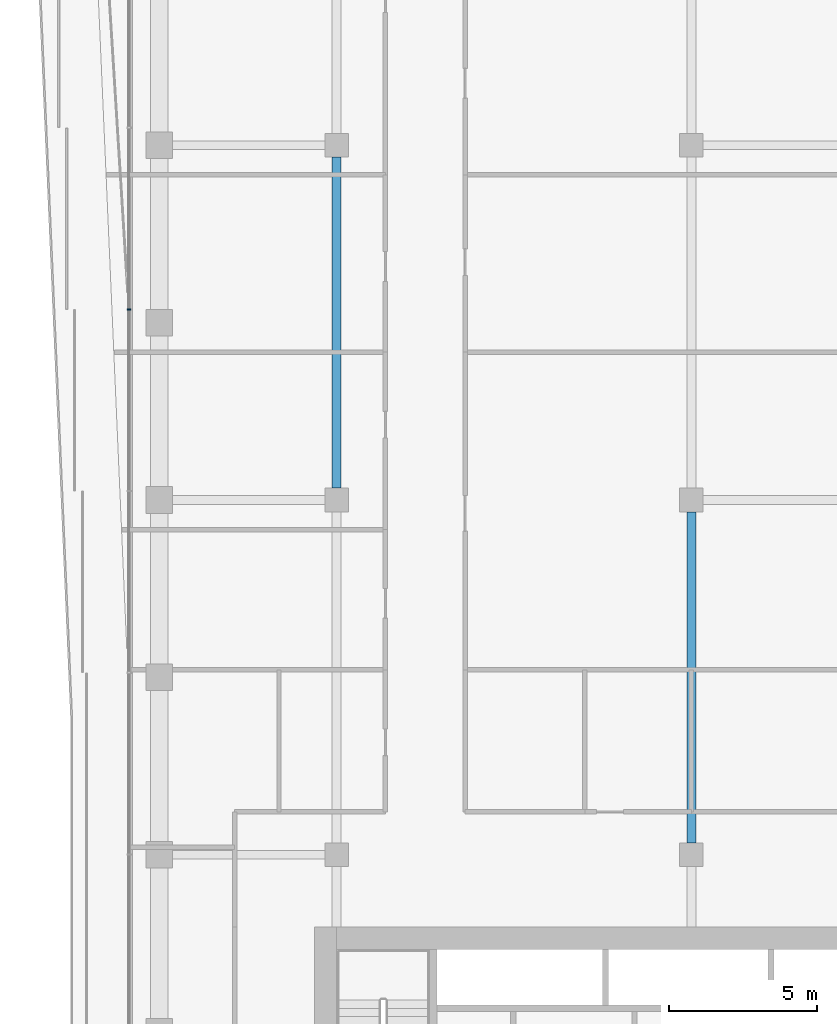
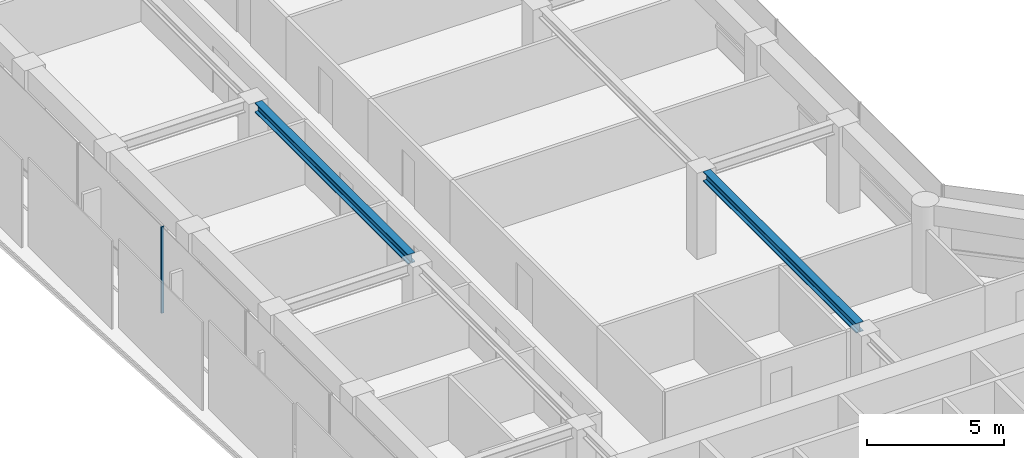
# One storey, part 12 of 24: 2 beams, 1 member, 1 element without a shape of its own.
"""IFC4 building model written with IfcOpenShell, lengths in metres."""

from ifc_helpers import new_model, si_unit, direction, frame, origin, origin_2d, place, context, subcontext, project, spatial, rectangle, i_section, extrude, material, layer, layer_set, material_profile, profile_set, type_object, element, aggregate, save


model = new_model("IFC4")

# Units and contexts
model_context = context("Model", 3, precision=1e-05, world=origin(), true_north=direction((0.0, 1.0)))
body_context = subcontext(model_context, "Body", "Model", "MODEL_VIEW")
ifc_project = project(units=[si_unit("LENGTHUNIT", "METRE"), si_unit("AREAUNIT", "SQUARE_METRE"), si_unit("VOLUMEUNIT", "CUBIC_METRE"), si_unit("PLANEANGLEUNIT", "RADIAN"), si_unit("MASSUNIT", "GRAM", prefix="KILO")], contexts=[model_context])

# Site, building, storey
site_placement = place(None, origin())
site = spatial("IfcSite", under=ifc_project, at=site_placement, CompositionType="ELEMENT")
building_placement = place(site_placement, origin())
building = spatial("IfcBuilding", under=site, at=building_placement, Name="Welwitschia Terrace Campus", CompositionType="ELEMENT")
storey_placement = place(building_placement, frame((0.0, 0.0, 100.39990234375)))
storey = spatial("IfcBuildingStorey", under=building, at=storey_placement, Name="L22", CompositionType="ELEMENT", Elevation=100.39990234375)

# Beams
ifc_material_1 = material(Name="Steel S355", Category="steel")
ifc_material_profile_1 = material_profile(ifc_material_1, i_section(OverallWidth=0.306884765625, OverallDepth=0.431884765625, WebThickness=0.02099609375, FlangeThickness=0.0400390625, FilletRadius=0.027099609375, at=origin_2d()))
ifc_profile_set_1 = profile_set([ifc_material_profile_1], Name="Steel S355")
beam_type = type_object("IfcBeamType", Name="Interior girder HE 400 M", PredefinedType="BEAM", material=ifc_profile_set_1)
for number, where, z_axis, x_axis, name in (
    (1, (6.0, 40.400390625, 3.634033203125), (0.0, 1.0, 0.0), (-1.0, 0.0, 0.0), "Girder GB3"),
    (2, (18.0, 28.400390625, 3.634033203125), (0.0, 1.0, 0.0), (-1.0, 0.0, 0.0), "Girder GB3"),
):
    element("IfcBeam", number, at=place(storey_placement, frame(where, z_axis=z_axis, x_axis=x_axis)), inside=storey, type_object=beam_type, Name=name, PredefinedType="BEAM", context=body_context, shape_type="SweptSolid", body=[
        extrude(i_section(OverallWidth=0.306884765625, OverallDepth=0.431884765625, WebThickness=0.02099609375, FlangeThickness=0.0400390625, FilletRadius=0.027099609375, at=origin_2d()), origin(), (0.0, 0.0, 1.0), 11.19921875),
    ])

# Curtain wall, member
ifc_material_2 = material(Name="Bronze anodised aluminium", Category="aluminium")
ifc_layer = layer(ifc_material_2, 0.1201171875)
ifc_layer_set = layer_set([ifc_layer], Name="Bronze anodised aluminium")
curtain_wall_type = type_object("IfcCurtainWallType", Name="Curtain wall CW2 tower 6000", PredefinedType="NOTDEFINED", material=ifc_layer_set)
curtain_wall_placement = place(storey_placement, origin())
curtain_wall = element("IfcCurtainWall", 3, at=curtain_wall_placement, inside=storey, type_object=curtain_wall_type, Name="CW L22.11.0", PredefinedType="NOTDEFINED")
ifc_material_3 = material(Name="Bronze anodised aluminium", Category="aluminium")
ifc_material_profile_2 = material_profile(ifc_material_3, rectangle(XDim=0.1201171875, YDim=0.06005859375, at=origin_2d()))
ifc_profile_set_2 = profile_set([ifc_material_profile_2], Name="Bronze anodised aluminium")
member_type = type_object("IfcMemberType", Name="Mullion 60x120", PredefinedType="MULLION", material=ifc_profile_set_2)
member_placement = place(storey_placement, frame((-1.030029296875, 46.447265625, 0.0), z_axis=(0.0, 0.0, 1.0), x_axis=(1.0, 0.0, 0.0)))
member = element("IfcMember", 4, at=member_placement, type_object=member_type, Name="Mullion L22.11.0.4", PredefinedType="MULLION", context=body_context, shape_type="SweptSolid", body=[
    extrude(rectangle(XDim=0.1201171875, YDim=0.06005859375, at=origin_2d()), origin(), (0.0, 0.0, 1.0), 3.85009765625),
])
aggregate(curtain_wall, [member])

save(model, "model.ifc")
